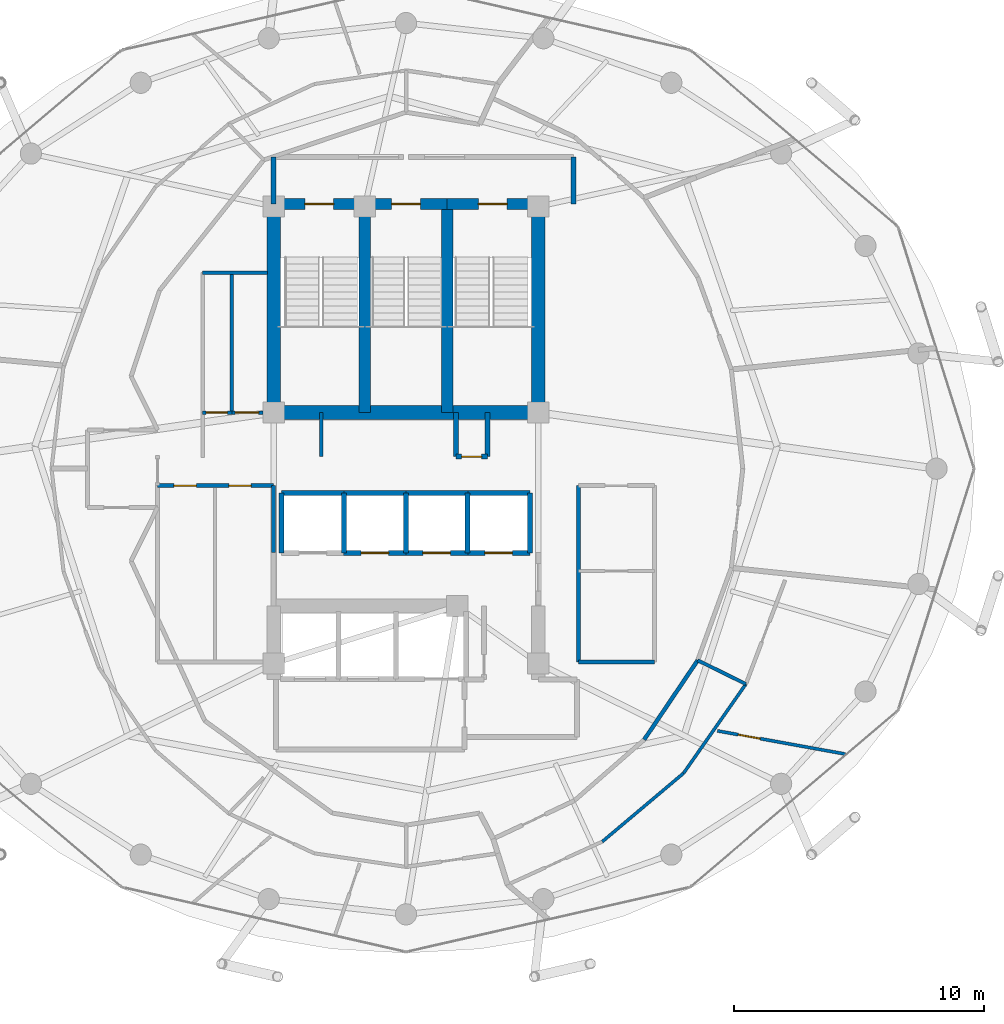
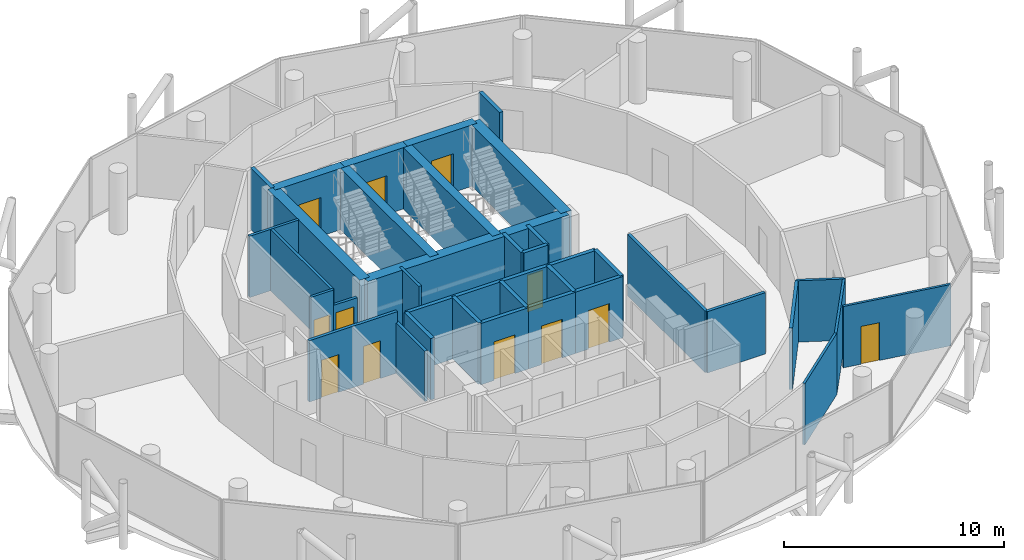
# One storey, part 24 of 27: 39 walls, 12 doors, 12 openings.
"""IFC4 building model written with IfcOpenShell, lengths in metres."""

from ifc_helpers import new_model, si_unit, direction, frame, frame_2d, origin, place, context, subcontext, project, spatial, rectangle, extrude, material, layer, layer_set, type_object, element, fill, save


model = new_model("IFC4")

# Units and contexts
model_context = context("Model", 3, precision=1e-05, world=origin(), true_north=direction((0.0, 1.0)))
body_context = subcontext(model_context, "Body", "Model", "MODEL_VIEW")
ifc_project = project(units=[si_unit("LENGTHUNIT", "METRE"), si_unit("AREAUNIT", "SQUARE_METRE"), si_unit("VOLUMEUNIT", "CUBIC_METRE"), si_unit("PLANEANGLEUNIT", "RADIAN"), si_unit("MASSUNIT", "GRAM", prefix="KILO")], contexts=[model_context])

# Site, building, storey
site_placement = place(None, origin())
site = spatial("IfcSite", under=ifc_project, at=site_placement, CompositionType="ELEMENT")
building_placement = place(site_placement, origin())
building = spatial("IfcBuilding", under=site, at=building_placement, Name="Nuhasar Tower", CompositionType="ELEMENT")
storey_placement = place(building_placement, frame((0.0, 0.0, 241.0)))
storey = spatial("IfcBuildingStorey", under=building, at=storey_placement, Name="L59", CompositionType="ELEMENT", Elevation=241.0)

# Wall, opening, door
ifc_material_1 = material(Name="Concrete C50/60", Category="concrete")
ifc_layer_1 = layer(ifc_material_1, 0.449951171875)
ifc_layer_set_1 = layer_set([ifc_layer_1], Name="Concrete C50/60")
wall_type_1 = type_object("IfcWallType", Name="WL-CORE-450", PredefinedType="SHEAR", material=ifc_layer_set_1)
wall_1_placement = place(storey_placement, frame((37.35009765625, 37.39990234375, 0.0), z_axis=(0.0, 0.0, 1.0), x_axis=(-1.0, 0.0, 0.0)))
wall_1 = element("IfcWall", 1, at=wall_1_placement, inside=storey, type_object=wall_type_1, Name="L59 Stairwell Shear Wall ST01-N", PredefinedType="SHEAR", context=body_context, shape_type="SweptSolid", body=[
    extrude(rectangle(XDim=3.650146484375, YDim=0.449951171875, at=frame_2d((1.8251953125, 0.0))), origin(), (0.0, 0.0, 1.0), 3.409912109375),
])
opening_1_placement = place(wall_1_placement, frame((1.25, 0.0, 0.0)))
opening_1 = element("IfcOpeningElement", 2, at=opening_1_placement, cuts=wall_1, Name="Opening DS-01", PredefinedType="OPENING", context=body_context, shape_type="SweptSolid", body=[
    extrude(rectangle(XDim=1.14990234375, YDim=2.14990234375, at=frame_2d((0.574951171875, 1.074951171875))), frame((0.0, 0.23486328125, 0.0), z_axis=(0.0, -1.0, 0.0), x_axis=(1.0, 0.0, 0.0)), (0.0, 0.0, 1.0), 0.469970703125),
])
ifc_material_2 = material(Name="Steel S355", Category="steel")
door_type_1 = type_object("IfcDoorType", Name="DR-STAIR-FD120-1150", OperationType="NOTDEFINED", PredefinedType="DOOR", material=ifc_material_2)
door_1_placement = place(opening_1_placement, origin())
door_1 = element("IfcDoor", 3, at=door_1_placement, inside=storey, type_object=door_type_1, Name="L59 Exit Stair ST-01 Door", OperationType="SINGLE_SWING_RIGHT", OverallHeight=2.14990234375, OverallWidth=1.14990234375, PredefinedType="DOOR", context=body_context, shape_type="SweptSolid", body=[
    extrude(rectangle(XDim=1.14990234375, YDim=2.14990234375, at=frame_2d((0.574951171875, 1.074951171875))), frame((0.0, 0.02490234375, 0.0), z_axis=(0.0, -1.0, 0.0), x_axis=(1.0, 0.0, 0.0)), (0.0, 0.0, 1.0), 0.050048828125),
])
fill(opening_1, door_1)

# Wall
wall_2_placement = place(storey_placement, frame((37.35009765625, 29.050048828125, 0.0), z_axis=(0.0, 0.0, 1.0), x_axis=(0.0, 1.0, 0.0)))
element("IfcWall", 4, at=wall_2_placement, inside=storey, type_object=wall_type_1, Name="L59 Stairwell Shear Wall ST01-E", PredefinedType="SHEAR", context=body_context, shape_type="SweptSolid", body=[
    extrude(rectangle(XDim=8.349853515625, YDim=0.449951171875, at=frame_2d((4.1748046875, 0.0))), origin(), (0.0, 0.0, 1.0), 3.409912109375),
])

# Wall, opening, door
wall_3_placement = place(storey_placement, frame((40.64990234375, 37.39990234375, 0.0), z_axis=(0.0, 0.0, 1.0), x_axis=(-1.0, 0.0, 0.0)))
wall_3 = element("IfcWall", 5, at=wall_3_placement, inside=storey, type_object=wall_type_1, Name="L59 Stairwell Shear Wall ST03-N", PredefinedType="SHEAR", context=body_context, shape_type="SweptSolid", body=[
    extrude(rectangle(XDim=3.2998046875, YDim=0.449951171875, at=frame_2d((1.64990234375, 0.0))), origin(), (0.0, 0.0, 1.0), 3.409912109375),
])
opening_2_placement = place(wall_3_placement, frame((1.074951171875, 0.0, 0.0)))
opening_2 = element("IfcOpeningElement", 6, at=opening_2_placement, cuts=wall_3, Name="Opening DS-01", PredefinedType="OPENING", context=body_context, shape_type="SweptSolid", body=[
    extrude(rectangle(XDim=1.14990234375, YDim=2.14990234375, at=frame_2d((0.574951171875, 1.074951171875))), frame((0.0, 0.23486328125, 0.0), z_axis=(0.0, -1.0, 0.0), x_axis=(1.0, 0.0, 0.0)), (0.0, 0.0, 1.0), 0.469970703125),
])
door_2_placement = place(opening_2_placement, origin())
door_2 = element("IfcDoor", 7, at=door_2_placement, inside=storey, type_object=door_type_1, Name="L59 Exit Stair ST-03 Door", OperationType="SINGLE_SWING_RIGHT", OverallHeight=2.14990234375, OverallWidth=1.14990234375, PredefinedType="DOOR", context=body_context, shape_type="SweptSolid", body=[
    extrude(rectangle(XDim=1.14990234375, YDim=2.14990234375, at=frame_2d((0.574951171875, 1.074951171875))), frame((0.0, 0.02490234375, 0.0), z_axis=(0.0, -1.0, 0.0), x_axis=(1.0, 0.0, 0.0)), (0.0, 0.0, 1.0), 0.050048828125),
])
fill(opening_2, door_2)

# Wall
wall_4_placement = place(storey_placement, frame((40.64990234375, 29.050048828125, 0.0), z_axis=(0.0, 0.0, 1.0), x_axis=(0.0, 1.0, 0.0)))
element("IfcWall", 8, at=wall_4_placement, inside=storey, type_object=wall_type_1, Name="L59 Stairwell Shear Wall ST03-E", PredefinedType="SHEAR", context=body_context, shape_type="SweptSolid", body=[
    extrude(rectangle(XDim=8.349853515625, YDim=0.449951171875, at=frame_2d((4.1748046875, 0.0))), origin(), (0.0, 0.0, 1.0), 3.409912109375),
])

# Wall, opening, door
wall_5_placement = place(storey_placement, frame((44.300048828125, 37.39990234375, 0.0), z_axis=(0.0, 0.0, 1.0), x_axis=(-1.0, 0.0, 0.0)))
wall_5 = element("IfcWall", 9, at=wall_5_placement, inside=storey, type_object=wall_type_1, Name="L59 Stairwell Shear Wall ST02-N", PredefinedType="SHEAR", context=body_context, shape_type="SweptSolid", body=[
    extrude(rectangle(XDim=3.650146484375, YDim=0.449951171875, at=frame_2d((1.8251953125, 0.0))), origin(), (0.0, 0.0, 1.0), 3.409912109375),
])
opening_3_placement = place(wall_5_placement, frame((1.25, 0.0, 0.0)))
opening_3 = element("IfcOpeningElement", 10, at=opening_3_placement, cuts=wall_5, Name="Opening DS-01", PredefinedType="OPENING", context=body_context, shape_type="SweptSolid", body=[
    extrude(rectangle(XDim=1.14990234375, YDim=2.14990234375, at=frame_2d((0.574951171875, 1.074951171875))), frame((0.0, 0.23486328125, 0.0), z_axis=(0.0, -1.0, 0.0), x_axis=(1.0, 0.0, 0.0)), (0.0, 0.0, 1.0), 0.469970703125),
])
door_3_placement = place(opening_3_placement, origin())
door_3 = element("IfcDoor", 11, at=door_3_placement, inside=storey, type_object=door_type_1, Name="L59 Exit Stair ST-02 Door", OperationType="SINGLE_SWING_LEFT", OverallHeight=2.14990234375, OverallWidth=1.14990234375, PredefinedType="DOOR", context=body_context, shape_type="SweptSolid", body=[
    extrude(rectangle(XDim=1.14990234375, YDim=2.14990234375, at=frame_2d((0.574951171875, 1.074951171875))), frame((0.0, 0.02490234375, 0.0), z_axis=(0.0, -1.0, 0.0), x_axis=(1.0, 0.0, 0.0)), (0.0, 0.0, 1.0), 0.050048828125),
])
fill(opening_3, door_3)

# Walls
ifc_material_3 = material(Name="Concrete C55/67", Category="concrete")
ifc_layer_2 = layer(ifc_material_3, 0.550048828125)
ifc_layer_set_2 = layer_set([ifc_layer_2], Name="Concrete C55/67")
wall_type_2 = type_object("IfcWallType", Name="WL-CORE-550", PredefinedType="SHEAR", material=ifc_layer_set_2)
for number, where, z_axis, x_axis, name in (
    (12, (33.699951171875, 29.050048828125, 0.0), (0.0, 0.0, 1.0), (0.0, 1.0, 0.0), "L59 Core Shear Wall CW-NW CW-550"),
    (13, (44.300048828125, 29.050048828125, 0.0), (0.0, 0.0, 1.0), (0.0, 1.0, 0.0), "L59 Core Shear Wall CW-NE CW-550"),
):
    element("IfcWall", number, at=place(storey_placement, frame(where, z_axis=z_axis, x_axis=x_axis)), inside=storey, type_object=wall_type_2, Name=name, PredefinedType="SHEAR", context=body_context, shape_type="SweptSolid", body=[
        extrude(rectangle(XDim=8.349853515625, YDim=0.550048828125, at=frame_2d((4.1748046875, 0.0))), origin(), (0.0, 0.0, 1.0), 3.409912109375),
    ])
wall_6_placement = place(storey_placement, frame((33.699951171875, 29.050048828125, 0.0), z_axis=(0.0, 0.0, 1.0), x_axis=(1.0, 0.0, 0.0)))
element("IfcWall", 14, at=wall_6_placement, inside=storey, type_object=wall_type_2, Name="L59 Core Shear Wall CW-N1 CW-550", PredefinedType="SHEAR", context=body_context, shape_type="SweptSolid", body=[
    extrude(rectangle(XDim=10.60009765625, YDim=0.550048828125, at=frame_2d((5.300048828125, 0.0))), origin(), (0.0, 0.0, 1.0), 3.409912109375),
])
ifc_material_4 = material(Name="Gypsum Board", Category="gypsum")
ifc_layer_3 = layer(ifc_material_4, 0.159912109375)
ifc_layer_set_3 = layer_set([ifc_layer_3], Name="Gypsum Board")
wall_type_3 = type_object("IfcWallType", Name="WL-CORR-160", PredefinedType="PARTITIONING", material=ifc_layer_set_3)
wall_7_placement = place(storey_placement, frame((33.699951171875, 23.449951171875, 0.0), z_axis=(0.0, 0.0, 1.0), x_axis=(0.0, 1.0, 0.0)))
element("IfcWall", 15, at=wall_7_placement, inside=storey, type_object=wall_type_3, Name="L59 Interior Partition RECL-B1-E", PredefinedType="PARTITIONING", context=body_context, shape_type="SweptSolid", body=[
    extrude(rectangle(XDim=2.670166015625, YDim=0.159912109375, at=frame_2d((1.3349609375, 0.0))), origin(), (0.0, 0.0, 1.0), 2.794921875),
])

# Wall, openings, doors
wall_8_placement = place(storey_placement, frame((33.699951171875, 26.1201171875, 0.0), z_axis=(0.0, 0.0, 1.0), x_axis=(-1.0, 0.0, 0.0)))
wall_8 = element("IfcWall", 16, at=wall_8_placement, inside=storey, type_object=wall_type_3, Name="L59 Interior Partition RECL-B1-N", PredefinedType="PARTITIONING", context=body_context, shape_type="SweptSolid", body=[
    extrude(rectangle(XDim=4.64990234375, YDim=0.159912109375, at=frame_2d((2.324951171875, 0.0))), origin(), (0.0, 0.0, 1.0), 3.409912109375),
])
opening_4_placement = place(wall_8_placement, frame((3.10009765625, 0.0, 0.0)))
opening_4 = element("IfcOpeningElement", 17, at=opening_4_placement, cuts=wall_8, Name="Opening DR-01", PredefinedType="OPENING", context=body_context, shape_type="SweptSolid", body=[
    extrude(rectangle(XDim=0.89990234375, YDim=2.10009765625, at=frame_2d((0.449951171875, 1.050048828125))), frame((0.0, 0.08984375, 0.0), z_axis=(0.0, -1.0, 0.0), x_axis=(1.0, 0.0, 0.0)), (0.0, 0.0, 1.0), 0.179931640625),
])
opening_5_placement = place(wall_8_placement, frame((0.89990234375, 0.0, 0.0)))
opening_5 = element("IfcOpeningElement", 18, at=opening_5_placement, cuts=wall_8, Name="Opening DR-01", PredefinedType="OPENING", context=body_context, shape_type="SweptSolid", body=[
    extrude(rectangle(XDim=0.89990234375, YDim=2.10009765625, at=frame_2d((0.449951171875, 1.050048828125))), frame((0.0, 0.08984375, 0.0), z_axis=(0.0, -1.0, 0.0), x_axis=(1.0, 0.0, 0.0)), (0.0, 0.0, 1.0), 0.179931640625),
])
ifc_material_5 = material(Name="Timber Oak", Category="wood")
door_type_2 = type_object("IfcDoorType", Name="DR-ROOM-900", OperationType="NOTDEFINED", PredefinedType="DOOR", material=ifc_material_5)
door_4_placement = place(opening_4_placement, origin())
door_4 = element("IfcDoor", 19, at=door_4_placement, inside=storey, type_object=door_type_2, Name="L59 Housekeeping Door", OperationType="SINGLE_SWING_RIGHT", OverallHeight=2.10009765625, OverallWidth=0.89990234375, PredefinedType="DOOR", context=body_context, shape_type="SweptSolid", body=[
    extrude(rectangle(XDim=0.89990234375, YDim=2.10009765625, at=frame_2d((0.449951171875, 1.050048828125))), frame((0.0, 0.02490234375, 0.0), z_axis=(0.0, -1.0, 0.0), x_axis=(1.0, 0.0, 0.0)), (0.0, 0.0, 1.0), 0.050048828125),
])
fill(opening_4, door_4)
door_5_placement = place(opening_5_placement, origin())
door_5 = element("IfcDoor", 20, at=door_5_placement, inside=storey, type_object=door_type_2, Name="L59 Valet Pantry Door", OperationType="SINGLE_SWING_LEFT", OverallHeight=2.10009765625, OverallWidth=0.89990234375, PredefinedType="DOOR", context=body_context, shape_type="SweptSolid", body=[
    extrude(rectangle(XDim=0.89990234375, YDim=2.10009765625, at=frame_2d((0.449951171875, 1.050048828125))), frame((0.0, 0.02490234375, 0.0), z_axis=(0.0, -1.0, 0.0), x_axis=(1.0, 0.0, 0.0)), (0.0, 0.0, 1.0), 0.050048828125),
])
fill(opening_5, door_5)

# Walls
wall_9_placement = place(storey_placement, frame((45.89990234375, 19.050048828125, 0.0), z_axis=(0.0, 0.0, 1.0), x_axis=(1.0, 0.0, 0.0)))
element("IfcWall", 21, at=wall_9_placement, inside=storey, type_object=wall_type_3, Name="L59 Interior Partition RECL-B2-S", PredefinedType="PARTITIONING", context=body_context, shape_type="SweptSolid", body=[
    extrude(rectangle(XDim=3.050048828125, YDim=0.159912109375, at=frame_2d((1.52490234375, 0.0))), origin(), (0.0, 0.0, 1.0), 3.409912109375),
])
wall_10_placement = place(storey_placement, frame((45.89990234375, 19.050048828125, 0.0), z_axis=(0.0, 0.0, 1.0), x_axis=(0.0, 1.0, 0.0)))
element("IfcWall", 22, at=wall_10_placement, inside=storey, type_object=wall_type_3, Name="L59 Interior Partition RECL-B2-W", PredefinedType="PARTITIONING", context=body_context, shape_type="SweptSolid", body=[
    extrude(rectangle(XDim=7.070068359375, YDim=0.159912109375, at=frame_2d((3.53515625, 0.0))), origin(), (0.0, 0.0, 1.0), 3.409912109375),
])
wall_11_placement = place(storey_placement, frame((48.5390625, 15.946044921875, 0.0), z_axis=(0.0, 0.0, 1.0), x_axis=(0.55915897058, 0.829060459568, 0.0)))
element("IfcWall", 23, at=wall_11_placement, inside=storey, type_object=wall_type_3, Name="L59 Interior Partition CORR-42", PredefinedType="PARTITIONING", context=body_context, shape_type="SweptSolid", body=[
    extrude(rectangle(XDim=3.83447265625, YDim=0.159912109375, at=frame_2d((1.917236328125, 0.0))), origin(), (0.0, 0.0, 1.0), 3.409912109375),
])
ifc_material_6 = material(Name="Concrete C45/55", Category="concrete")
ifc_layer_4 = layer(ifc_material_6, 0.199951171875)
ifc_layer_set_4 = layer_set([ifc_layer_4], Name="Concrete C45/55")
wall_type_4 = type_object("IfcWallType", Name="WL-LOBBY-200", PredefinedType="SOLIDWALL", material=ifc_layer_set_4)
for number, where, z_axis, x_axis, name in (
    (24, (33.699951171875, 37.39990234375, 0.0), (0.0, 0.0, 1.0), (0.0, 1.0, 0.0), "L59 Interior Partition NSL-W"),
    (25, (45.699951171875, 37.39990234375, 0.0), (0.0, 0.0, 1.0), (0.0, 1.0, 0.0), "L59 Interior Partition NSL-E"),
):
    element("IfcWall", number, at=place(storey_placement, frame(where, z_axis=z_axis, x_axis=x_axis)), inside=storey, type_object=wall_type_4, Name=name, PredefinedType="SOLIDWALL", context=body_context, shape_type="SweptSolid", body=[
        extrude(rectangle(XDim=1.880126953125, YDim=0.199951171875, at=frame_2d((0.93994140625, 0.0))), origin(), (0.0, 0.0, 1.0), 3.409912109375),
    ])
ifc_layer_5 = layer(ifc_material_4, 0.125)
ifc_layer_set_5 = layer_set([ifc_layer_5], Name="Gypsum Board")
wall_type_5 = type_object("IfcWallType", Name="WL-PART-125", PredefinedType="PARTITIONING", material=ifc_layer_set_5)
wall_12_placement = place(storey_placement, frame((46.860107421875, 11.861083984375, 0.0), z_axis=(0.0, 0.0, 1.0), x_axis=(0.765004906077, 0.644024451149, 0.0)))
element("IfcWall", 26, at=wall_12_placement, inside=storey, type_object=wall_type_5, Name="L59 Interior Partition UMID-01-A-40", PredefinedType="PARTITIONING", context=body_context, shape_type="SweptSolid", body=[
    extrude(rectangle(XDim=4.256103515625, YDim=0.125, at=frame_2d((2.1279296875, 0.0))), origin(), (0.0, 0.0, 1.0), 3.409912109375),
])
wall_13_placement = place(storey_placement, frame((50.115966796875, 14.60205078125, 0.0), z_axis=(0.0, 0.0, 1.0), x_axis=(0.572992451041, 0.819560645132, 0.0)))
element("IfcWall", 27, at=wall_13_placement, inside=storey, type_object=wall_type_5, Name="L59 Interior Partition UMID-01-A-42", PredefinedType="PARTITIONING", context=body_context, shape_type="SweptSolid", body=[
    extrude(rectangle(XDim=4.359619140625, YDim=0.125, at=frame_2d((2.1796875, 0.0))), origin(), (0.0, 0.0, 1.0), 3.409912109375),
])

# Wall, opening, door
wall_14_placement = place(storey_placement, frame((51.471923828125, 16.299072265625, 0.0), z_axis=(0.0, 0.0, 1.0), x_axis=(0.983950739816, -0.178440302665, 0.0)))
wall_14 = element("IfcWall", 28, at=wall_14_placement, inside=storey, type_object=wall_type_5, Name="L59 Interior Partition UOUT-01-B1", PredefinedType="PARTITIONING", context=body_context, shape_type="SweptSolid", body=[
    extrude(rectangle(XDim=5.212890625, YDim=0.125, at=frame_2d((2.6064453125, 0.0))), origin(), (0.0, 0.0, 1.0), 3.409912109375),
])
opening_6_placement = place(wall_14_placement, frame((0.85009765625, 0.0, 0.0)))
opening_6 = element("IfcOpeningElement", 29, at=opening_6_placement, cuts=wall_14, Name="Opening DR-01", PredefinedType="OPENING", context=body_context, shape_type="SweptSolid", body=[
    extrude(rectangle(XDim=0.89990234375, YDim=2.10009765625, at=frame_2d((0.449951171875, 1.050048828125))), frame((0.0, 0.072509765625, 0.0), z_axis=(0.0, -1.0, 0.0), x_axis=(1.0, 0.0, 0.0)), (0.0, 0.0, 1.0), 0.14501953125),
])
door_6_placement = place(opening_6_placement, origin())
door_6 = element("IfcDoor", 30, at=door_6_placement, inside=storey, type_object=door_type_2, Name="L59 U01 Bedroom Door", OperationType="SINGLE_SWING_LEFT", OverallHeight=2.10009765625, OverallWidth=0.89990234375, PredefinedType="DOOR", context=body_context, shape_type="SweptSolid", body=[
    extrude(rectangle(XDim=0.89990234375, YDim=2.10009765625, at=frame_2d((0.449951171875, 1.050048828125))), frame((0.0, 0.02490234375, 0.0), z_axis=(0.0, -1.0, 0.0), x_axis=(1.0, 0.0, 0.0)), (0.0, 0.0, 1.0), 0.050048828125),
])
fill(opening_6, door_6)

# Walls
ifc_layer_6 = layer(ifc_material_6, 0.199951171875)
ifc_layer_set_6 = layer_set([ifc_layer_6], Name="Concrete C45/55")
wall_type_6 = type_object("IfcWallType", Name="WL-SHAFT-200", PredefinedType="SOLIDWALL", material=ifc_layer_set_6)
for number, where, z_axis, x_axis, name in (
    (31, (41.0, 27.280029296875, 0.0), (0.0, 0.0, 1.0), (0.0, 1.0, 0.0), "L59 Interior Partition RSRN-W"),
    (32, (42.260009765625, 27.280029296875, 0.0), (0.0, 0.0, 1.0), (0.0, 1.0, 0.0), "L59 Interior Partition RSRN-E"),
):
    element("IfcWall", number, at=place(storey_placement, frame(where, z_axis=z_axis, x_axis=x_axis)), inside=storey, type_object=wall_type_6, Name=name, PredefinedType="SOLIDWALL", context=body_context, shape_type="SweptSolid", body=[
        extrude(rectangle(XDim=1.77001953125, YDim=0.199951171875, at=frame_2d((0.885009765625, 0.0))), origin(), (0.0, 0.0, 1.0), 3.409912109375),
    ])

# Wall, opening, door
wall_15_placement = place(storey_placement, frame((41.0, 27.280029296875, 0.0), z_axis=(0.0, 0.0, 1.0), x_axis=(1.0, 0.0, 0.0)))
wall_15 = element("IfcWall", 33, at=wall_15_placement, inside=storey, type_object=wall_type_6, Name="L59 Interior Partition RSRN-S", PredefinedType="SOLIDWALL", context=body_context, shape_type="SweptSolid", body=[
    extrude(rectangle(XDim=1.260009765625, YDim=0.199951171875, at=frame_2d((0.6298828125, 0.0))), origin(), (0.0, 0.0, 1.0), 3.409912109375),
])
opening_7_placement = place(wall_15_placement, frame((0.22998046875, 0.0, 0.0)))
opening_7 = element("IfcOpeningElement", 34, at=opening_7_placement, cuts=wall_15, Name="Opening DM-01", PredefinedType="OPENING", context=body_context, shape_type="SweptSolid", body=[
    extrude(rectangle(XDim=0.800048828125, YDim=2.050048828125, at=frame_2d((0.39990234375, 1.02490234375))), frame((0.0, 0.10986328125, 0.0), z_axis=(0.0, -1.0, 0.0), x_axis=(1.0, 0.0, 0.0)), (0.0, 0.0, 1.0), 0.219970703125),
])
door_type_3 = type_object("IfcDoorType", Name="DR-RISER-FD60-800", OperationType="NOTDEFINED", PredefinedType="DOOR", material=ifc_material_2)
door_7_placement = place(opening_7_placement, origin())
door_7 = element("IfcDoor", 35, at=door_7_placement, inside=storey, type_object=door_type_3, Name="L59 North Smoke Riser Door", OperationType="SINGLE_SWING_RIGHT", OverallHeight=2.050048828125, OverallWidth=0.800048828125, PredefinedType="DOOR", context=body_context, shape_type="SweptSolid", body=[
    extrude(rectangle(XDim=0.800048828125, YDim=2.050048828125, at=frame_2d((0.39990234375, 1.02490234375))), frame((0.0, 0.02490234375, 0.0), z_axis=(0.0, -1.0, 0.0), x_axis=(1.0, 0.0, 0.0)), (0.0, 0.0, 1.0), 0.050048828125),
])
fill(opening_7, door_7)

# Walls
wall_16_placement = place(storey_placement, frame((34.02001953125, 25.830078125, 0.0), z_axis=(0.0, 0.0, 1.0), x_axis=(1.0, 0.0, 0.0)))
element("IfcWall", 36, at=wall_16_placement, inside=storey, type_object=wall_type_6, Name="L59 Interior Partition SHF-PL-H01-N", PredefinedType="SOLIDWALL", context=body_context, shape_type="SweptSolid", body=[
    extrude(rectangle(XDim=2.5, YDim=0.199951171875, at=frame_2d((1.25, 0.0))), origin(), (0.0, 0.0, 1.0), 3.409912109375),
])
for number, where, z_axis, x_axis, name in (
    (37, (34.02001953125, 23.419921875, 0.0), (0.0, 0.0, 1.0), (0.0, 1.0, 0.0), "L59 Interior Partition SHF-PL-H01-W"),
    (38, (36.510009765625, 23.419921875, 0.0), (0.0, 0.0, 1.0), (0.0, 1.0, 0.0), "L59 Interior Partition SHF-PL-H01-E"),
):
    element("IfcWall", number, at=place(storey_placement, frame(where, z_axis=z_axis, x_axis=x_axis)), inside=storey, type_object=wall_type_6, Name=name, PredefinedType="SOLIDWALL", context=body_context, shape_type="SweptSolid", body=[
        extrude(rectangle(XDim=2.41015625, YDim=0.199951171875, at=frame_2d((1.205078125, 0.0))), origin(), (0.0, 0.0, 1.0), 3.409912109375),
    ])

# Wall, opening, door
wall_17_placement = place(storey_placement, frame((36.5, 23.419921875, 0.0), z_axis=(0.0, 0.0, 1.0), x_axis=(1.0, 0.0, 0.0)))
wall_17 = element("IfcWall", 39, at=wall_17_placement, inside=storey, type_object=wall_type_6, Name="L59 Interior Partition SHF-PL-H02-S", PredefinedType="SOLIDWALL", context=body_context, shape_type="SweptSolid", body=[
    extrude(rectangle(XDim=2.5, YDim=0.199951171875, at=frame_2d((1.25, 0.0))), origin(), (0.0, 0.0, 1.0), 3.409912109375),
])
opening_8_placement = place(wall_17_placement, frame((0.699951171875, 0.0, 0.0)))
opening_8 = element("IfcOpeningElement", 40, at=opening_8_placement, cuts=wall_17, Name="Opening LD-H02", PredefinedType="OPENING", context=body_context, shape_type="SweptSolid", body=[
    extrude(rectangle(XDim=1.10009765625, YDim=2.14990234375, at=frame_2d((0.550048828125, 1.074951171875))), frame((0.0, 0.10986328125, 0.0), z_axis=(0.0, -1.0, 0.0), x_axis=(1.0, 0.0, 0.0)), (0.0, 0.0, 1.0), 0.219970703125),
])
ifc_material_7 = material(Name="Stainless Steel 316L", Category="steel")
door_type_4 = type_object("IfcDoorType", Name="LD-PAX-1100", OperationType="DOUBLE_DOOR_SLIDING", PredefinedType="DOOR", material=ifc_material_7)
door_8_placement = place(opening_8_placement, origin())
door_8 = element("IfcDoor", 41, at=door_8_placement, inside=storey, type_object=door_type_4, Name="L59 Lift Landing Door PL-H02", OperationType="DOUBLE_DOOR_SLIDING", OverallHeight=2.14990234375, OverallWidth=1.10009765625, PredefinedType="DOOR", context=body_context, shape_type="SweptSolid", body=[
    extrude(rectangle(XDim=1.10009765625, YDim=2.14990234375, at=frame_2d((0.550048828125, 1.074951171875))), frame((0.0, 0.02490234375, 0.0), z_axis=(0.0, -1.0, 0.0), x_axis=(1.0, 0.0, 0.0)), (0.0, 0.0, 1.0), 0.050048828125),
])
fill(opening_8, door_8)

# Walls
wall_18_placement = place(storey_placement, frame((36.5, 25.830078125, 0.0), z_axis=(0.0, 0.0, 1.0), x_axis=(1.0, 0.0, 0.0)))
element("IfcWall", 42, at=wall_18_placement, inside=storey, type_object=wall_type_6, Name="L59 Interior Partition SHF-PL-H02-N", PredefinedType="SOLIDWALL", context=body_context, shape_type="SweptSolid", body=[
    extrude(rectangle(XDim=2.5, YDim=0.199951171875, at=frame_2d((1.25, 0.0))), origin(), (0.0, 0.0, 1.0), 3.409912109375),
])
wall_19_placement = place(storey_placement, frame((38.989990234375, 23.419921875, 0.0), z_axis=(0.0, 0.0, 1.0), x_axis=(0.0, 1.0, 0.0)))
element("IfcWall", 43, at=wall_19_placement, inside=storey, type_object=wall_type_6, Name="L59 Interior Partition SHF-PL-H02-E", PredefinedType="SOLIDWALL", context=body_context, shape_type="SweptSolid", body=[
    extrude(rectangle(XDim=2.41015625, YDim=0.199951171875, at=frame_2d((1.205078125, 0.0))), origin(), (0.0, 0.0, 1.0), 3.409912109375),
])

# Wall, opening, door
wall_20_placement = place(storey_placement, frame((38.97998046875, 23.419921875, 0.0), z_axis=(0.0, 0.0, 1.0), x_axis=(1.0, 0.0, 0.0)))
wall_20 = element("IfcWall", 44, at=wall_20_placement, inside=storey, type_object=wall_type_6, Name="L59 Interior Partition SHF-PL-H03-S", PredefinedType="SOLIDWALL", context=body_context, shape_type="SweptSolid", body=[
    extrude(rectangle(XDim=2.5, YDim=0.199951171875, at=frame_2d((1.25, 0.0))), origin(), (0.0, 0.0, 1.0), 3.409912109375),
])
opening_9_placement = place(wall_20_placement, frame((0.699951171875, 0.0, 0.0)))
opening_9 = element("IfcOpeningElement", 45, at=opening_9_placement, cuts=wall_20, Name="Opening LD-H03", PredefinedType="OPENING", context=body_context, shape_type="SweptSolid", body=[
    extrude(rectangle(XDim=1.10009765625, YDim=2.14990234375, at=frame_2d((0.550048828125, 1.074951171875))), frame((0.0, 0.10986328125, 0.0), z_axis=(0.0, -1.0, 0.0), x_axis=(1.0, 0.0, 0.0)), (0.0, 0.0, 1.0), 0.219970703125),
])
door_9_placement = place(opening_9_placement, origin())
door_9 = element("IfcDoor", 46, at=door_9_placement, inside=storey, type_object=door_type_4, Name="L59 Lift Landing Door PL-H03", OperationType="DOUBLE_DOOR_SLIDING", OverallHeight=2.14990234375, OverallWidth=1.10009765625, PredefinedType="DOOR", context=body_context, shape_type="SweptSolid", body=[
    extrude(rectangle(XDim=1.10009765625, YDim=2.14990234375, at=frame_2d((0.550048828125, 1.074951171875))), frame((0.0, 0.02490234375, 0.0), z_axis=(0.0, -1.0, 0.0), x_axis=(1.0, 0.0, 0.0)), (0.0, 0.0, 1.0), 0.050048828125),
])
fill(opening_9, door_9)

# Walls
wall_21_placement = place(storey_placement, frame((38.97998046875, 25.830078125, 0.0), z_axis=(0.0, 0.0, 1.0), x_axis=(1.0, 0.0, 0.0)))
element("IfcWall", 47, at=wall_21_placement, inside=storey, type_object=wall_type_6, Name="L59 Interior Partition SHF-PL-H03-N", PredefinedType="SOLIDWALL", context=body_context, shape_type="SweptSolid", body=[
    extrude(rectangle(XDim=2.5, YDim=0.199951171875, at=frame_2d((1.25, 0.0))), origin(), (0.0, 0.0, 1.0), 3.409912109375),
])
wall_22_placement = place(storey_placement, frame((41.469970703125, 23.419921875, 0.0), z_axis=(0.0, 0.0, 1.0), x_axis=(0.0, 1.0, 0.0)))
element("IfcWall", 48, at=wall_22_placement, inside=storey, type_object=wall_type_6, Name="L59 Interior Partition SHF-PL-H03-E", PredefinedType="SOLIDWALL", context=body_context, shape_type="SweptSolid", body=[
    extrude(rectangle(XDim=2.41015625, YDim=0.199951171875, at=frame_2d((1.205078125, 0.0))), origin(), (0.0, 0.0, 1.0), 3.409912109375),
])

# Wall, opening, door
wall_23_placement = place(storey_placement, frame((41.4599609375, 23.419921875, 0.0), z_axis=(0.0, 0.0, 1.0), x_axis=(1.0, 0.0, 0.0)))
wall_23 = element("IfcWall", 49, at=wall_23_placement, inside=storey, type_object=wall_type_6, Name="L59 Interior Partition SHF-PL-H04-S", PredefinedType="SOLIDWALL", context=body_context, shape_type="SweptSolid", body=[
    extrude(rectangle(XDim=2.5, YDim=0.199951171875, at=frame_2d((1.25, 0.0))), origin(), (0.0, 0.0, 1.0), 3.409912109375),
])
opening_10_placement = place(wall_23_placement, frame((0.699951171875, 0.0, 0.0)))
opening_10 = element("IfcOpeningElement", 50, at=opening_10_placement, cuts=wall_23, Name="Opening LD-H04", PredefinedType="OPENING", context=body_context, shape_type="SweptSolid", body=[
    extrude(rectangle(XDim=1.10009765625, YDim=2.14990234375, at=frame_2d((0.550048828125, 1.074951171875))), frame((0.0, 0.10986328125, 0.0), z_axis=(0.0, -1.0, 0.0), x_axis=(1.0, 0.0, 0.0)), (0.0, 0.0, 1.0), 0.219970703125),
])
door_10_placement = place(opening_10_placement, origin())
door_10 = element("IfcDoor", 51, at=door_10_placement, inside=storey, type_object=door_type_4, Name="L59 Lift Landing Door PL-H04", OperationType="DOUBLE_DOOR_SLIDING", OverallHeight=2.14990234375, OverallWidth=1.10009765625, PredefinedType="DOOR", context=body_context, shape_type="SweptSolid", body=[
    extrude(rectangle(XDim=1.10009765625, YDim=2.14990234375, at=frame_2d((0.550048828125, 1.074951171875))), frame((0.0, 0.02490234375, 0.0), z_axis=(0.0, -1.0, 0.0), x_axis=(1.0, 0.0, 0.0)), (0.0, 0.0, 1.0), 0.050048828125),
])
fill(opening_10, door_10)

# Walls
wall_24_placement = place(storey_placement, frame((41.4599609375, 25.830078125, 0.0), z_axis=(0.0, 0.0, 1.0), x_axis=(1.0, 0.0, 0.0)))
element("IfcWall", 52, at=wall_24_placement, inside=storey, type_object=wall_type_6, Name="L59 Interior Partition SHF-PL-H04-N", PredefinedType="SOLIDWALL", context=body_context, shape_type="SweptSolid", body=[
    extrude(rectangle(XDim=2.5, YDim=0.199951171875, at=frame_2d((1.25, 0.0))), origin(), (0.0, 0.0, 1.0), 3.409912109375),
])
wall_25_placement = place(storey_placement, frame((43.9599609375, 23.419921875, 0.0), z_axis=(0.0, 0.0, 1.0), x_axis=(0.0, 1.0, 0.0)))
element("IfcWall", 53, at=wall_25_placement, inside=storey, type_object=wall_type_6, Name="L59 Interior Partition SHF-PL-H04-E", PredefinedType="SOLIDWALL", context=body_context, shape_type="SweptSolid", body=[
    extrude(rectangle(XDim=2.41015625, YDim=0.199951171875, at=frame_2d((1.205078125, 0.0))), origin(), (0.0, 0.0, 1.0), 3.409912109375),
])
ifc_material_8 = material(Name="Concrete C40/50 precast", Category="concrete")
ifc_layer_7 = layer(ifc_material_8, 0.139892578125)
ifc_layer_set_7 = layer_set([ifc_layer_7], Name="Concrete C40/50 precast")
wall_type_7 = type_object("IfcWallType", Name="WL-WET-140", PredefinedType="PARTITIONING", material=ifc_layer_set_7)
wall_26_placement = place(storey_placement, frame((35.60009765625, 27.280029296875, 0.0), z_axis=(0.0, 0.0, 1.0), x_axis=(0.0, 1.0, 0.0)))
element("IfcWall", 54, at=wall_26_placement, inside=storey, type_object=wall_type_7, Name="L59 Interior Partition CSVC-W", PredefinedType="PARTITIONING", context=body_context, shape_type="SweptSolid", body=[
    extrude(rectangle(XDim=1.77001953125, YDim=0.139892578125, at=frame_2d((0.885009765625, 0.0))), origin(), (0.0, 0.0, 1.0), 3.409912109375),
])

# Wall, opening, door
wall_27_placement = place(storey_placement, frame((30.85009765625, 29.050048828125, 0.0), z_axis=(0.0, 0.0, 1.0), x_axis=(1.0, 0.0, 0.0)))
wall_27 = element("IfcWall", 55, at=wall_27_placement, inside=storey, type_object=wall_type_7, Name="L59 Interior Partition K2-NW-S", PredefinedType="PARTITIONING", context=body_context, shape_type="SweptSolid", body=[
    extrude(rectangle(XDim=1.179931640625, YDim=0.139892578125, at=frame_2d((0.58984375, 0.0))), origin(), (0.0, 0.0, 1.0), 3.409912109375),
])
opening_11_placement = place(wall_27_placement, frame((0.139892578125, 0.0, 0.0)))
opening_11 = element("IfcOpeningElement", 56, at=opening_11_placement, cuts=wall_27, Name="Opening DB-01", PredefinedType="OPENING", context=body_context, shape_type="SweptSolid", body=[
    extrude(rectangle(XDim=0.85009765625, YDim=2.10009765625, at=frame_2d((0.425048828125, 1.050048828125))), frame((0.0, 0.080078125, 0.0), z_axis=(0.0, -1.0, 0.0), x_axis=(1.0, 0.0, 0.0)), (0.0, 0.0, 1.0), 0.159912109375),
])
door_type_5 = type_object("IfcDoorType", Name="DR-BATH-850", OperationType="NOTDEFINED", PredefinedType="DOOR", material=ifc_material_5)
door_11_placement = place(opening_11_placement, origin())
door_11 = element("IfcDoor", 57, at=door_11_placement, inside=storey, type_object=door_type_5, Name="L59 NW Female WC Door", OperationType="SINGLE_SWING_LEFT", OverallHeight=2.10009765625, OverallWidth=0.85009765625, PredefinedType="DOOR", context=body_context, shape_type="SweptSolid", body=[
    extrude(rectangle(XDim=0.85009765625, YDim=2.10009765625, at=frame_2d((0.425048828125, 1.050048828125))), frame((0.0, 0.02490234375, 0.0), z_axis=(0.0, -1.0, 0.0), x_axis=(1.0, 0.0, 0.0)), (0.0, 0.0, 1.0), 0.050048828125),
])
fill(opening_11, door_11)

wall_28_placement = place(storey_placement, frame((32.030029296875, 29.050048828125, 0.0), z_axis=(0.0, 0.0, 1.0), x_axis=(1.0, 0.0, 0.0)))
wall_28 = element("IfcWall", 58, at=wall_28_placement, inside=storey, type_object=wall_type_7, Name="L59 Interior Partition K2-NW-S", PredefinedType="PARTITIONING", context=body_context, shape_type="SweptSolid", body=[
    extrude(rectangle(XDim=1.25, YDim=0.139892578125, at=frame_2d((0.625, 0.0))), origin(), (0.0, 0.0, 1.0), 2.550048828125),
])
opening_12_placement = place(wall_28_placement, frame((0.1201171875, 0.0, 0.0)))
opening_12 = element("IfcOpeningElement", 59, at=opening_12_placement, cuts=wall_28, Name="Opening DA-01", PredefinedType="OPENING", context=body_context, shape_type="SweptSolid", body=[
    extrude(rectangle(XDim=0.949951171875, YDim=2.10009765625, at=frame_2d((0.47509765625, 1.050048828125))), frame((0.0, 0.080078125, 0.0), z_axis=(0.0, -1.0, 0.0), x_axis=(1.0, 0.0, 0.0)), (0.0, 0.0, 1.0), 0.159912109375),
])
door_type_6 = type_object("IfcDoorType", Name="DR-ACCWC-950", OperationType="NOTDEFINED", PredefinedType="DOOR", material=ifc_material_5)
door_12_placement = place(opening_12_placement, origin())
door_12 = element("IfcDoor", 60, at=door_12_placement, inside=storey, type_object=door_type_6, Name="L59 NW Accessible WC Door", OperationType="SINGLE_SWING_RIGHT", OverallHeight=2.10009765625, OverallWidth=0.949951171875, PredefinedType="DOOR", context=body_context, shape_type="SweptSolid", body=[
    extrude(rectangle(XDim=0.949951171875, YDim=2.10009765625, at=frame_2d((0.47509765625, 1.050048828125))), frame((0.0, 0.02490234375, 0.0), z_axis=(0.0, -1.0, 0.0), x_axis=(1.0, 0.0, 0.0)), (0.0, 0.0, 1.0), 0.050048828125),
])
fill(opening_12, door_12)

# Walls
wall_29_placement = place(storey_placement, frame((32.02001953125, 29.050048828125, 0.0), z_axis=(0.0, 0.0, 1.0), x_axis=(0.0, 1.0, 0.0)))
element("IfcWall", 61, at=wall_29_placement, inside=storey, type_object=wall_type_7, Name="L59 Interior Partition K2-NW-V", PredefinedType="PARTITIONING", context=body_context, shape_type="SweptSolid", body=[
    extrude(rectangle(XDim=5.599853515625, YDim=0.139892578125, at=frame_2d((2.7998046875, 0.0))), origin(), (0.0, 0.0, 1.0), 3.409912109375),
])
wall_30_placement = place(storey_placement, frame((30.85009765625, 34.64990234375, 0.0), z_axis=(0.0, 0.0, 1.0), x_axis=(1.0, 0.0, 0.0)))
element("IfcWall", 62, at=wall_30_placement, inside=storey, type_object=wall_type_7, Name="L59 Interior Partition K2-NW-N", PredefinedType="PARTITIONING", context=body_context, shape_type="SweptSolid", body=[
    extrude(rectangle(XDim=2.599853515625, YDim=0.139892578125, at=frame_2d((1.2998046875, 0.0))), origin(), (0.0, 0.0, 1.0), 3.409912109375),
])
wall_31_placement = place(storey_placement, frame((50.68310546875, 19.125, 0.0), z_axis=(0.0, 0.0, 1.0), x_axis=(0.897290298134, -0.441440959671, 0.0)))
element("IfcWall", 63, at=wall_31_placement, inside=storey, type_object=wall_type_7, Name="L59 Interior Partition UIN-01-K", PredefinedType="PARTITIONING", context=body_context, shape_type="SweptSolid", body=[
    extrude(rectangle(XDim=2.15185546875, YDim=0.139892578125, at=frame_2d((1.075927734375, 0.0))), origin(), (0.0, 0.0, 1.0), 3.409912109375),
])

save(model, "model.ifc")
